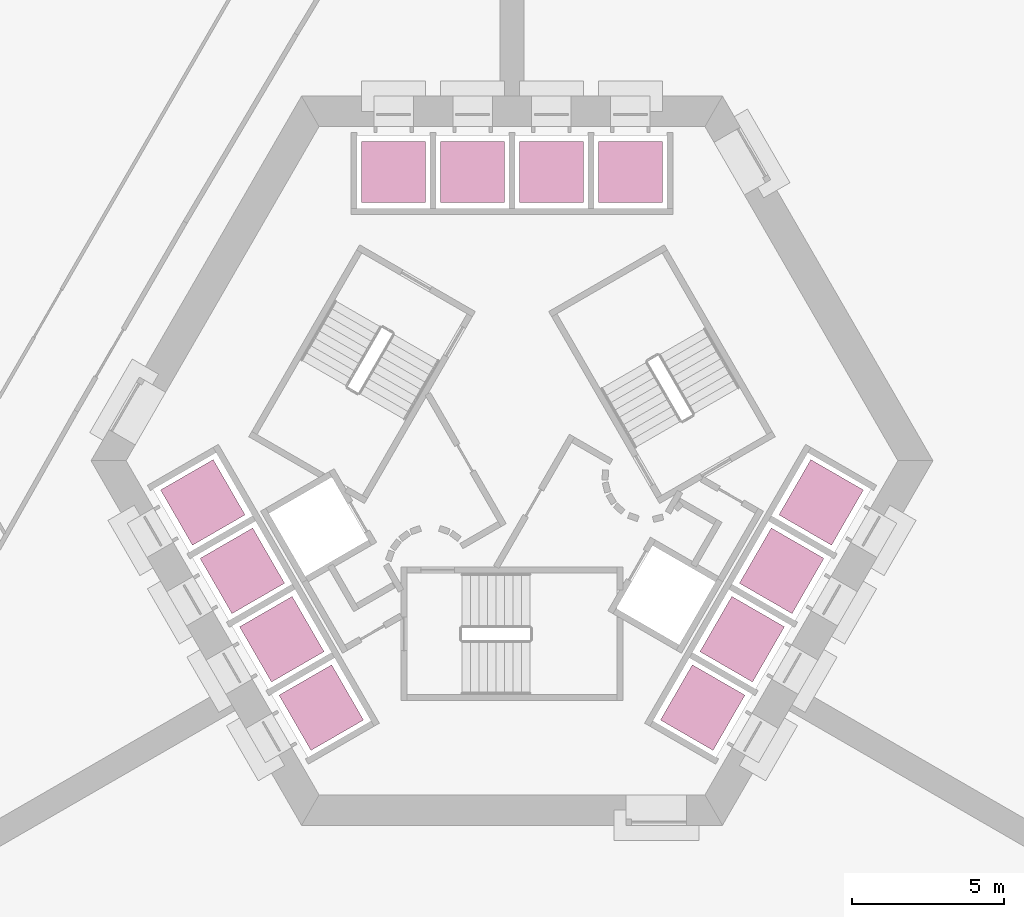
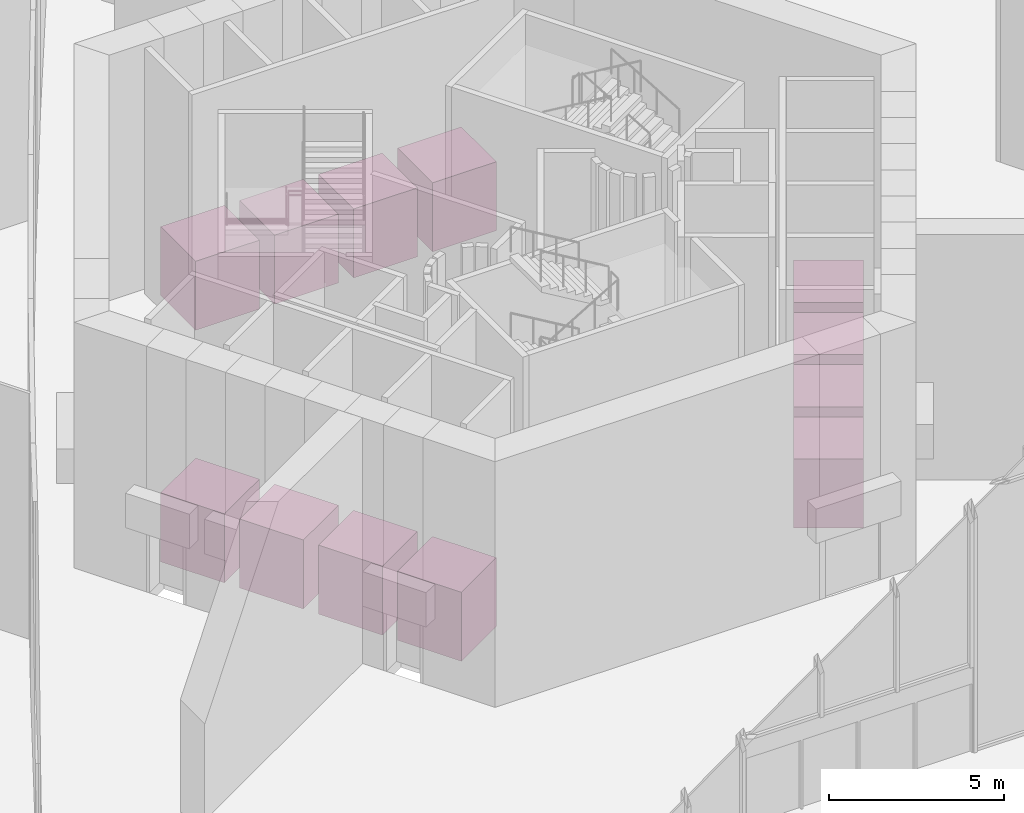
# One storey, part 36 of 36: 12 transport elements.
"""IFC4 building model written with IfcOpenShell, lengths in metres."""

from ifc_helpers import new_model, si_unit, direction, frame, origin, origin_2d, place, context, subcontext, project, spatial, rectangle, extrude, material, type_object, element, save


model = new_model("IFC4")

# Units and contexts
model_context = context("Model", 3, precision=1e-05, world=origin(), true_north=direction((0.0, 1.0)))
body_context = subcontext(model_context, "Body", "Model", "MODEL_VIEW")
ifc_project = project(units=[si_unit("LENGTHUNIT", "METRE"), si_unit("AREAUNIT", "SQUARE_METRE"), si_unit("VOLUMEUNIT", "CUBIC_METRE"), si_unit("PLANEANGLEUNIT", "RADIAN"), si_unit("MASSUNIT", "GRAM", prefix="KILO")], contexts=[model_context])

# Site, building, storey
site_placement = place(None, origin())
site = spatial("IfcSite", under=ifc_project, at=site_placement, CompositionType="ELEMENT")
building_placement = place(site_placement, origin())
building = spatial("IfcBuilding", under=site, at=building_placement, Name="Entoto Arch Interchange Tower", CompositionType="ELEMENT")
storey_placement = place(building_placement, origin())
storey = spatial("IfcBuildingStorey", under=building, at=storey_placement, Name="L00", CompositionType="ELEMENT", Elevation=0.0)

# Transport elements
ifc_material = material(Name="Stainless steel 1.4301 panels", Category="steel")
transport_element_type_1 = type_object("IfcTransportElementType", Name="PASSENGER LIFT CAR 2000 KG 2100 X 2000", PredefinedType="ELEVATOR", material=ifc_material)
for number, where, z_axis, x_axis, name in (
    (1, (3.89990234375, 12.0, 0.0), (0.0, 0.0, 1.0), (1.0, 0.0, 0.0), "Lift car LR1"),
    (2, (1.300048828125, 12.0, 0.0), (0.0, 0.0, 1.0), (1.0, 0.0, 0.0), "Lift car LR2"),
    (3, (-1.300048828125, 12.0, 0.0), (0.0, 0.0, 1.0), (1.0, 0.0, 0.0), "Lift car LR3"),
    (4, (-3.89990234375, 12.0, 0.0), (0.0, 0.0, 1.0), (1.0, 0.0, 0.0), "Lift car LR4"),
    (5, (6.277099609375, -5.626953125, 0.0), (0.0, 0.0, 1.0), (-0.5, -0.866025403784, 0.0), "Lift car LR5"),
    (6, (7.576904296875, -3.3759765625, 0.0), (0.0, 0.0, 1.0), (-0.5, -0.866025403784, 0.0), "Lift car LR6"),
    (7, (8.876953125, -1.1240234375, 0.0), (0.0, 0.0, 1.0), (-0.5, -0.866025403784, 0.0), "Lift car LR7"),
    (8, (10.177001953125, 1.126953125, 0.0), (0.0, 0.0, 1.0), (-0.5, -0.866025403784, 0.0), "Lift car LR8"),
):
    element("IfcTransportElement", number, at=place(storey_placement, frame(where, z_axis=z_axis, x_axis=x_axis)), inside=storey, type_object=transport_element_type_1, Name=name, PredefinedType="ELEVATOR", context=body_context, shape_type="SweptSolid", body=[
        extrude(rectangle(XDim=2.10009765625, YDim=2.0, at=origin_2d()), origin(), (0.0, 0.0, 1.0), 2.39990234375),
    ])
transport_element_type_2 = type_object("IfcTransportElementType", Name="SHUTTLE LIFT CAR 2000 KG 2100 X 2000", PredefinedType="ELEVATOR", material=ifc_material)
for number, where, z_axis, x_axis, name in (
    (9, (-10.177001953125, 1.126953125, 0.0), (0.0, 0.0, 1.0), (-0.5, 0.866025403784, 0.0), "Lift car SH1"),
    (10, (-8.876953125, -1.1240234375, 0.0), (0.0, 0.0, 1.0), (-0.5, 0.866025403784, 0.0), "Lift car SH2"),
    (11, (-7.576904296875, -3.3759765625, 0.0), (0.0, 0.0, 1.0), (-0.5, 0.866025403784, 0.0), "Lift car SH3"),
    (12, (-6.277099609375, -5.626953125, 0.0), (0.0, 0.0, 1.0), (-0.5, 0.866025403784, 0.0), "Lift car SH4"),
):
    element("IfcTransportElement", number, at=place(storey_placement, frame(where, z_axis=z_axis, x_axis=x_axis)), inside=storey, type_object=transport_element_type_2, Name=name, PredefinedType="ELEVATOR", context=body_context, shape_type="SweptSolid", body=[
        extrude(rectangle(XDim=2.10009765625, YDim=2.0, at=origin_2d()), origin(), (0.0, 0.0, 1.0), 2.39990234375),
    ])

save(model, "model.ifc")
